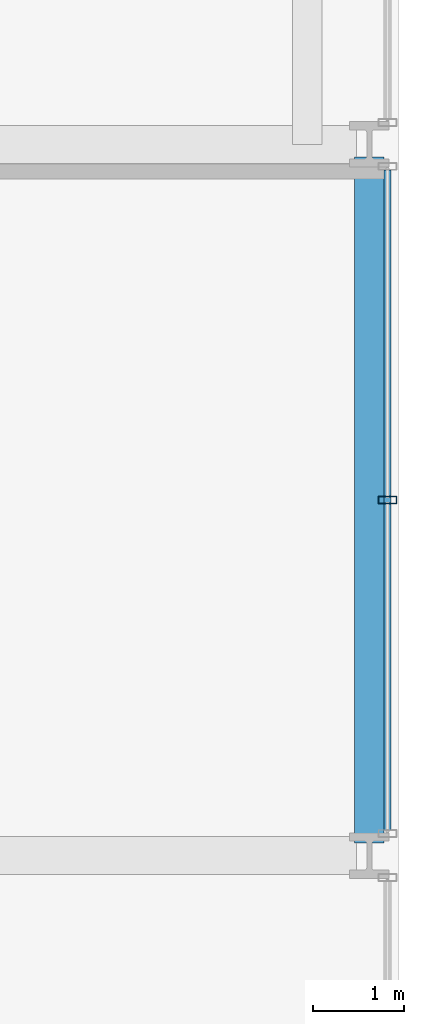
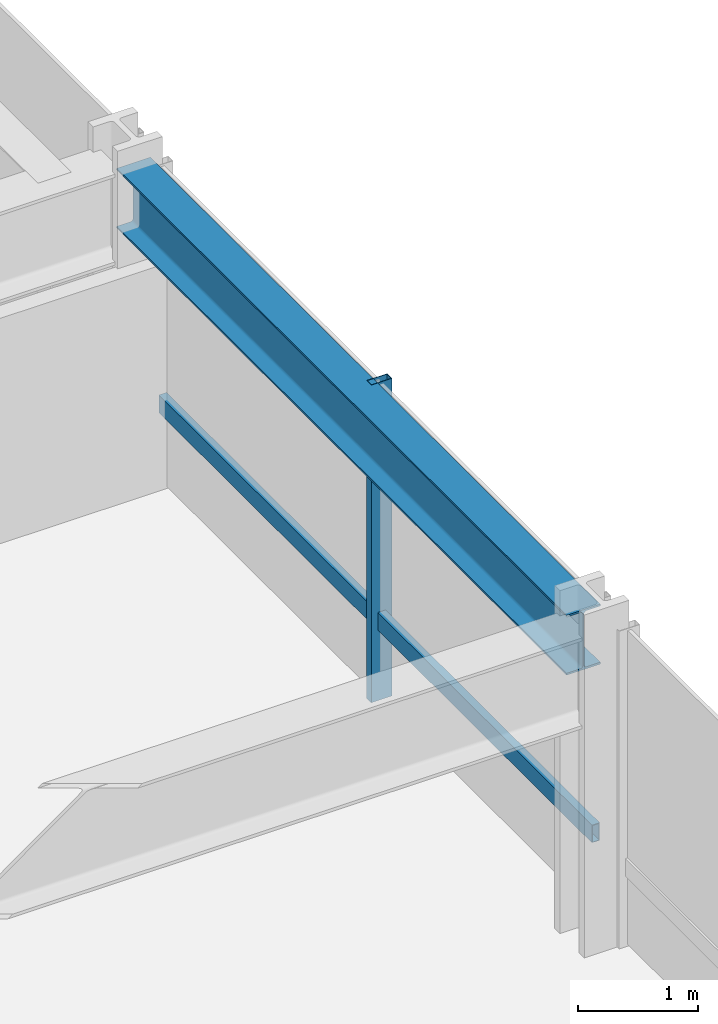
# One storey, part 14 of 39: 2 members, 1 beam, 1 element without a shape of its own.
"""IFC4 building model written with IfcOpenShell, lengths in metres."""

from ifc_helpers import new_model, si_unit, direction, frame, origin, origin_2d, place, context, subcontext, project, spatial, hollow_rectangle, i_section, extrude, material, layer, layer_set, material_profile, profile_set, type_object, element, aggregate, save


model = new_model("IFC4")

# Units and contexts
model_context = context("Model", 3, precision=1e-05, world=origin(), true_north=direction((0.0, 1.0)))
body_context = subcontext(model_context, "Body", "Model", "MODEL_VIEW")
ifc_project = project(units=[si_unit("LENGTHUNIT", "METRE"), si_unit("AREAUNIT", "SQUARE_METRE"), si_unit("VOLUMEUNIT", "CUBIC_METRE"), si_unit("PLANEANGLEUNIT", "RADIAN"), si_unit("MASSUNIT", "GRAM", prefix="KILO")], contexts=[model_context])

# Site, building, storey
site_placement = place(None, origin())
site = spatial("IfcSite", under=ifc_project, at=site_placement, CompositionType="ELEMENT")
building_placement = place(site_placement, origin())
building = spatial("IfcBuilding", under=site, at=building_placement, Name="Drelvath Grand Hotel", CompositionType="ELEMENT")
storey_placement = place(building_placement, frame((0.0, 0.0, 54.199951171875)))
storey = spatial("IfcBuildingStorey", under=building, at=storey_placement, Name="L12", CompositionType="ELEMENT", Elevation=54.199951171875)

# Curtain wall, members
ifc_material_1 = material(Name="Warm Bronze Anodised Aluminium Frame", Category="aluminium")
ifc_layer = layer(ifc_material_1, 0.199951171875)
ifc_layer_set = layer_set([ifc_layer], Name="Warm Bronze Anodised Aluminium Frame")
curtain_wall_type = type_object("IfcCurtainWallType", Name="Stick Curtain Wall CW-02 Warm Bronze Low-Rise", PredefinedType="NOTDEFINED", material=ifc_layer_set)
curtain_wall_placement = place(storey_placement, origin())
curtain_wall = element("IfcCurtainWall", 1, at=curtain_wall_placement, inside=storey, type_object=curtain_wall_type, Name="L12 CW-02 Curtain Wall CW02-L12-ES2", PredefinedType="NOTDEFINED")
ifc_material_profile_1 = material_profile(ifc_material_1, hollow_rectangle(XDim=0.074951171875, YDim=0.179931640625, WallThickness=0.0048828125, at=origin_2d()), Name="HSS180X75X5")
ifc_profile_set_1 = profile_set([ifc_material_profile_1], Name="Warm Bronze Anodised Aluminium Frame")
member_type_1 = type_object("IfcMemberType", Name="Curtain Wall Horizontal Transom CW-02 HSS180X75X5", PredefinedType="USERDEFINED", material=ifc_profile_set_1)
member_1_placement = place(storey_placement, frame((26.8798828125, 18.319091796875, 0.81005859375), z_axis=(0.0, -1.0, 0.0), x_axis=(1.0, 0.0, 0.0)))
member_1 = element("IfcMember", 2, at=member_1_placement, type_object=member_type_1, Name="CW02-L12-ES2 Sill Transom", ObjectType="TRANSOM", PredefinedType="USERDEFINED", context=body_context, shape_type="SweptSolid", body=[
    extrude(hollow_rectangle(XDim=0.074951171875, YDim=0.179931640625, WallThickness=0.0048828125, at=origin_2d()), origin(), (0.0, 0.0, 1.0), 7.23828125),
])
ifc_material_profile_2 = material_profile(ifc_material_1, hollow_rectangle(XDim=0.080078125, YDim=0.199951171875, WallThickness=0.0048828125, at=origin_2d()), Name="HSS200X80X5")
ifc_profile_set_2 = profile_set([ifc_material_profile_2], Name="Warm Bronze Anodised Aluminium Frame")
member_type_2 = type_object("IfcMemberType", Name="Curtain Wall Vertical Mullion CW-02 HSS200X80X5", PredefinedType="MULLION", material=ifc_profile_set_2)
member_2_placement = place(storey_placement, frame((26.8798828125, 14.699951171875, 0.0), z_axis=(0.0, 0.0, 1.0), x_axis=(0.0, 1.0, 0.0)))
member_2 = element("IfcMember", 3, at=member_2_placement, type_object=member_type_2, Name="CW02-L12-ES2 Mullion 2", PredefinedType="MULLION", context=body_context, shape_type="SweptSolid", body=[
    extrude(hollow_rectangle(XDim=0.080078125, YDim=0.199951171875, WallThickness=0.0048828125, at=origin_2d()), origin(), (0.0, 0.0, 1.0), 3.239990234375),
])
aggregate(curtain_wall, [member_2, member_1])

# Beam
ifc_material_2 = material(Name="Steel ASTM A992 Gr 50", Category="steel")
ifc_material_profile_3 = material_profile(ifc_material_2, i_section(OverallWidth=0.323974609375, OverallDepth=0.611083984375, WebThickness=0.0126953125, FlangeThickness=0.01904296875, FilletRadius=0.02197265625, at=origin_2d()), Name="W24X104")
ifc_profile_set_3 = profile_set([ifc_material_profile_3], Name="Steel ASTM A992 Gr 50")
beam_type = type_object("IfcBeamType", Name="Perimeter Spandrel Beam W24X104", PredefinedType="SPANDREL", material=ifc_profile_set_3)
beam_placement = place(storey_placement, frame((26.679931640625, 10.93994140625, 2.9345703125), z_axis=(0.0, 1.0, 0.0), x_axis=(-1.0, 0.0, 0.0)))
element("IfcBeam", 4, at=beam_placement, inside=storey, type_object=beam_type, Name="L12 Spandrel East S", PredefinedType="SPANDREL", context=body_context, shape_type="SweptSolid", body=[
    extrude(i_section(OverallWidth=0.323974609375, OverallDepth=0.611083984375, WebThickness=0.0126953125, FlangeThickness=0.01904296875, FilletRadius=0.02197265625, at=origin_2d()), origin(), (0.0, 0.0, 1.0), 7.52001953125),
])

save(model, "model.ifc")
